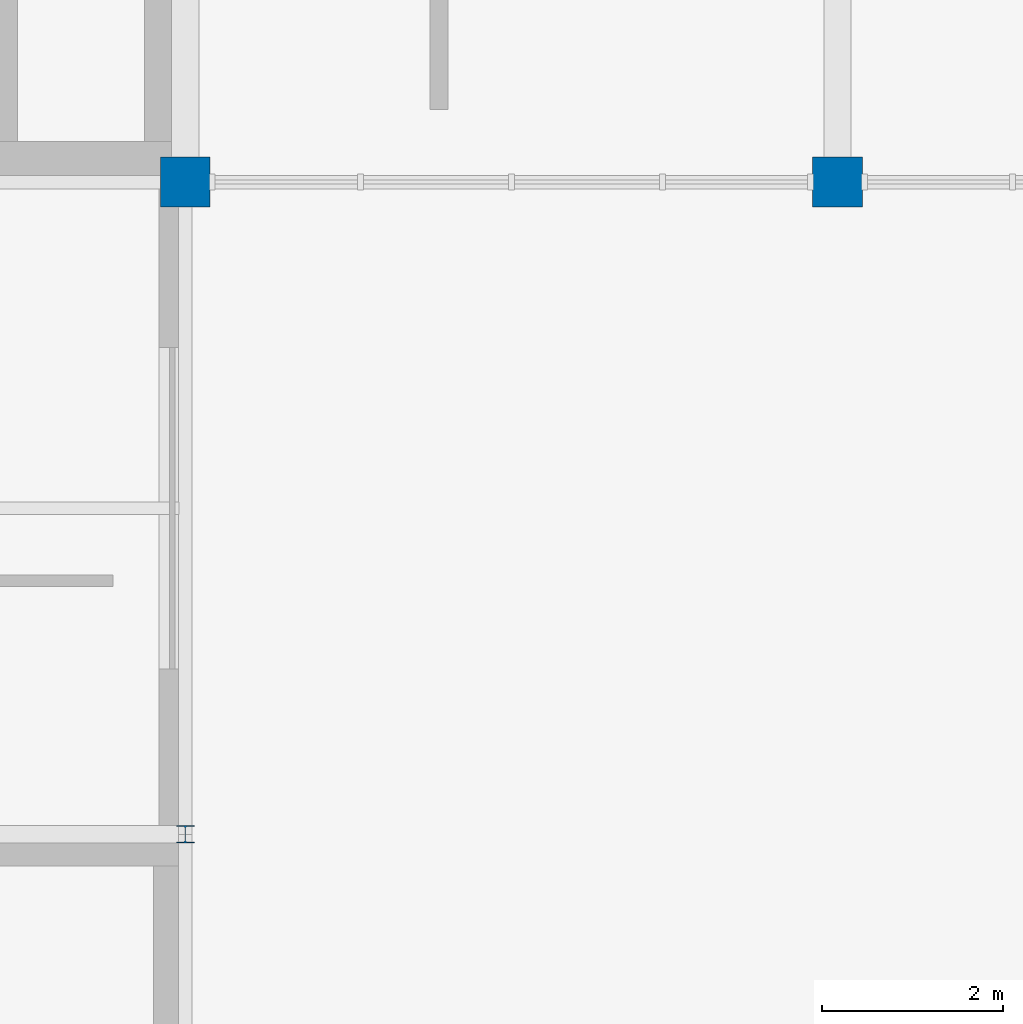
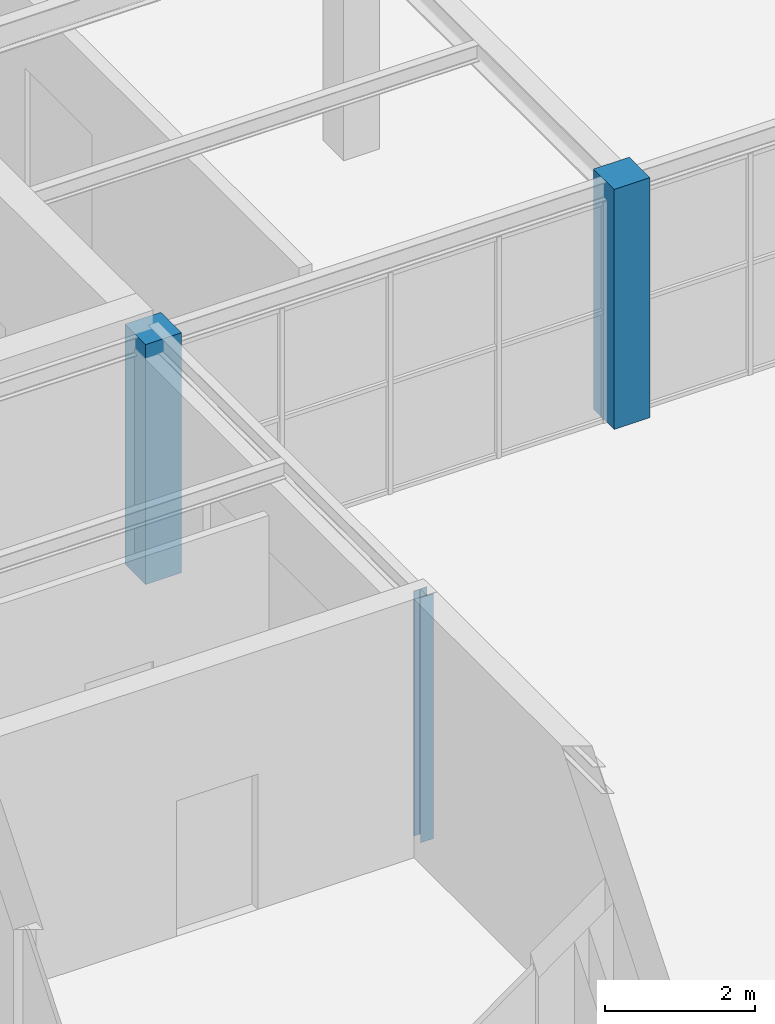
# One storey, part 2 of 30: 3 columns.
"""IFC4 building model written with IfcOpenShell, lengths in metres."""

from ifc_helpers import new_model, si_unit, direction, frame, origin, origin_2d, place, context, subcontext, project, spatial, rectangle, i_section, extrude, material, material_profile, profile_set, type_object, element, save


model = new_model("IFC4")

# Units and contexts
model_context = context("Model", 3, precision=1e-05, world=origin(), true_north=direction((0.0, 1.0)))
body_context = subcontext(model_context, "Body", "Model", "MODEL_VIEW")
ifc_project = project(units=[si_unit("LENGTHUNIT", "METRE"), si_unit("AREAUNIT", "SQUARE_METRE"), si_unit("VOLUMEUNIT", "CUBIC_METRE"), si_unit("PLANEANGLEUNIT", "RADIAN"), si_unit("MASSUNIT", "GRAM", prefix="KILO")], contexts=[model_context])

# Site, building, storey
site_placement = place(None, origin())
site = spatial("IfcSite", under=ifc_project, at=site_placement, CompositionType="ELEMENT")
building_placement = place(site_placement, origin())
building = spatial("IfcBuilding", under=site, at=building_placement, Name="Leyfeld Transit Interchange", CompositionType="ELEMENT")
storey_placement = place(building_placement, frame((0.0, 0.0, 13.800048828125)))
storey = spatial("IfcBuildingStorey", under=building, at=storey_placement, Name="L03", CompositionType="ELEMENT", Elevation=13.800048828125)

# Columns
ifc_material_1 = material(Name="Steel S355J2", Category="steel")
ifc_material_profile_1 = material_profile(ifc_material_1, i_section(OverallWidth=0.199951171875, OverallDepth=0.18994140625, WebThickness=0.006591796875, FlangeThickness=0.010009765625, FilletRadius=0.01806640625, at=origin_2d()), Name="HEA 200")
ifc_profile_set_1 = profile_set([ifc_material_profile_1], Name="Steel S355J2")
column_type_1 = type_object("IfcColumnType", Name="COL-CAT-02", PredefinedType="COLUMN", material=ifc_profile_set_1)
column_placement = place(storey_placement, frame((21.60009765625, 86.39990234375, 0.0), z_axis=(0.0, 0.0, 1.0), x_axis=(1.0, 0.0, 0.0)))
element("IfcColumn", 1, at=column_placement, inside=storey, type_object=column_type_1, Name="Column COL-L03-0216_0864", PredefinedType="COLUMN", context=body_context, shape_type="SweptSolid", body=[
    extrude(i_section(OverallWidth=0.199951171875, OverallDepth=0.18994140625, WebThickness=0.006591796875, FlangeThickness=0.010009765625, FilletRadius=0.01806640625, at=origin_2d()), origin(), (0.0, 0.0, 1.0), 3.97998046875),
])
ifc_material_2 = material(Name="Concrete C35/45", Category="concrete")
ifc_material_profile_2 = material_profile(ifc_material_2, rectangle(XDim=0.550048828125, YDim=0.550048828125, at=origin_2d()), Name="RC 550x550")
ifc_profile_set_2 = profile_set([ifc_material_profile_2], Name="Concrete C35/45")
column_type_2 = type_object("IfcColumnType", Name="COL-RC-550", PredefinedType="COLUMN", material=ifc_profile_set_2)
for number, where, z_axis, x_axis, name in (
    (2, (21.60009765625, 93.60009765625, 0.0), (0.0, 0.0, 1.0), (1.0, 0.0, 0.0), "Column COL-L03-0216_0936"),
    (3, (28.800048828125, 93.60009765625, 0.0), (0.0, 0.0, 1.0), (1.0, 0.0, 0.0), "Column COL-L03-0288_0936"),
):
    element("IfcColumn", number, at=place(storey_placement, frame(where, z_axis=z_axis, x_axis=x_axis)), inside=storey, type_object=column_type_2, Name=name, PredefinedType="COLUMN", context=body_context, shape_type="SweptSolid", body=[
        extrude(rectangle(XDim=0.550048828125, YDim=0.550048828125, at=origin_2d()), origin(), (0.0, 0.0, 1.0), 3.89990234375),
    ])

save(model, "model.ifc")
